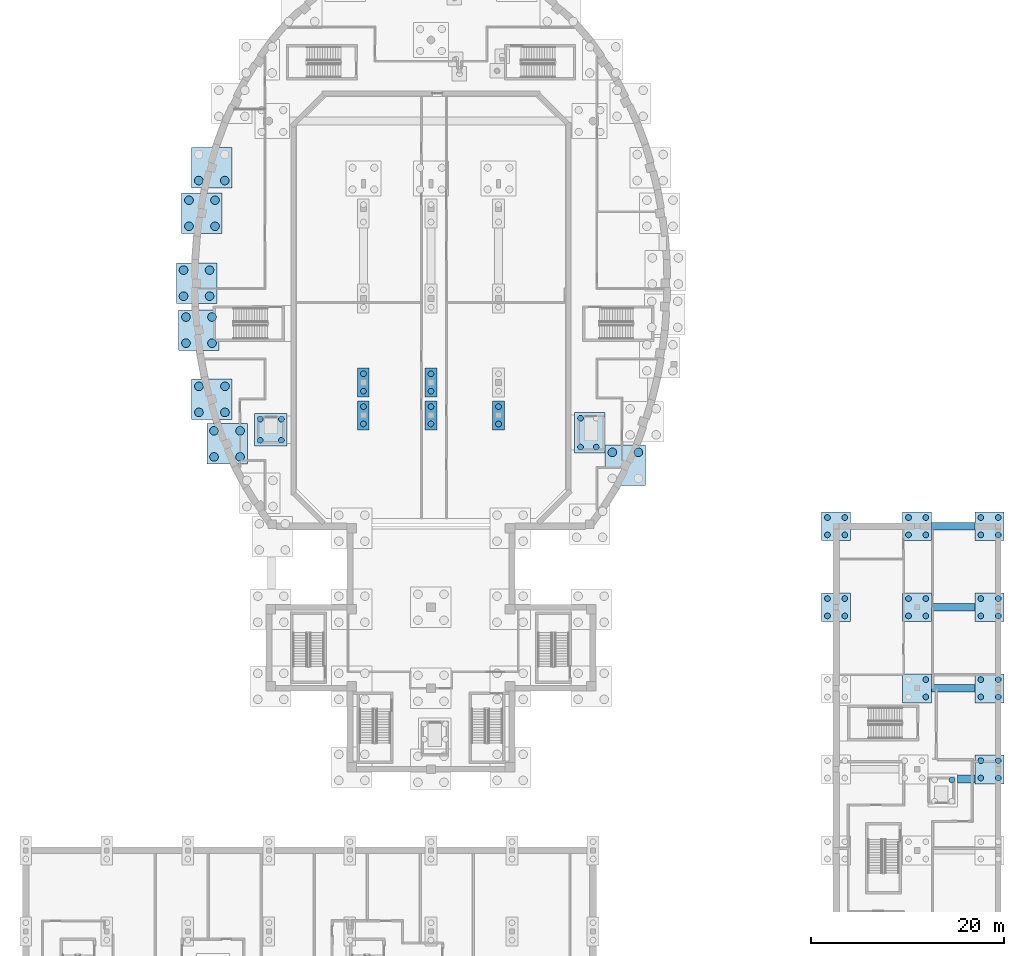
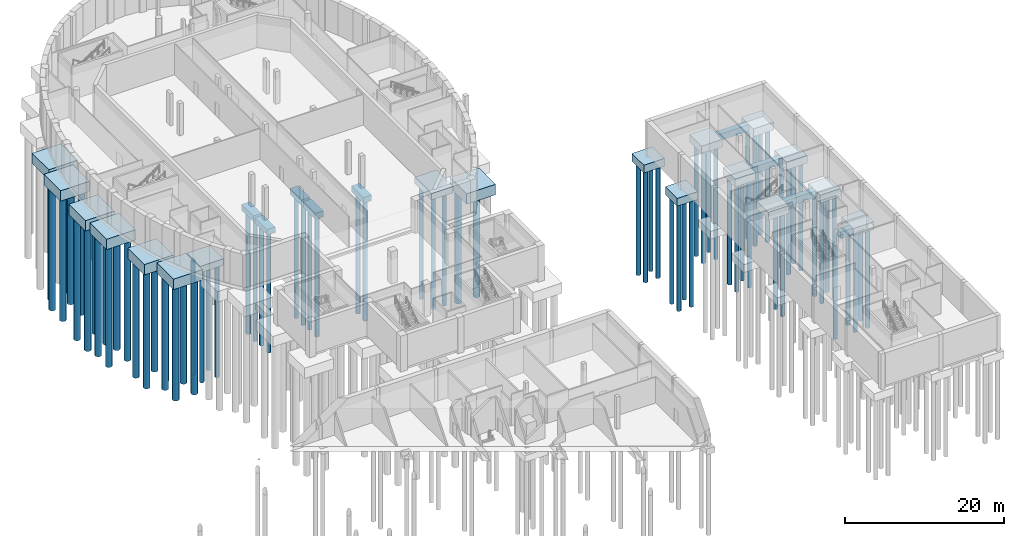
# One storey, part 4 of 33: 76 piles, 27 footings.
"""IFC4 building model written with IfcOpenShell, lengths in metres."""

import ifcopenshell
import ifcopenshell.guid

model = None  # the IFC model being written
_history = None  # IfcOwnerHistory: only IFC2X3 demands one
_inside = {}  # id of a spatial element -> (the spatial element, [elements in it])
_under = {}  # id of a project, library or spatial element -> (it, [spatial elements below it])
_declared = {}  # id of a project -> (the project, [libraries it declares])
_typed = {}  # id of a type object -> (the type object, [elements of that type])
_made_of = {}  # id of a material, layer set ... -> (it, [elements and type objects made of it])


def new_model(schema):
    """Start an empty IFC model of exactly this schema.

    Asked for "IFC4X3", IfcOpenShell would pick the latest addendum, in which some entities
    have other attributes; the version numbers below select the first issue.
    IFC2X3 requires an IfcOwnerHistory on every rooted entity: one is made here for all.
    """
    global model, _history
    if schema == "IFC4X3":
        model = ifcopenshell.file(schema_version=(4, 3, 0, 0))
    else:
        model = ifcopenshell.file(schema=schema)
    _inside.clear()
    _under.clear()
    _declared.clear()
    _typed.clear()
    _made_of.clear()
    _history = None
    if model.schema == "IFC2X3":
        org = make("IfcOrganization", Name="unknown")
        user = make(
            "IfcPersonAndOrganization",
            ThePerson=make("IfcPerson", FamilyName="unknown"),
            TheOrganization=org,
        )
        app = make(
            "IfcApplication",
            ApplicationDeveloper=org,
            Version="unknown",
            ApplicationFullName="unknown",
            ApplicationIdentifier="unknown",
        )
        _history = make(
            "IfcOwnerHistory",
            OwningUser=user,
            OwningApplication=app,
            ChangeAction="ADDED",
            CreationDate=0,
        )
    return model


def make(cls, **values):
    """One entity of the class cls with the attributes given. An attribute that is None is left unset."""
    return model.create_entity(
        cls, **{name: value for name, value in values.items() if value is not None}
    )


def rooted(cls, **values):
    """An entity with a GlobalId (a new one), such as an element, a storey or a relation."""
    return make(cls, GlobalId=ifcopenshell.guid.new(), OwnerHistory=_history, **values)


def si_unit(unit_type, name, prefix=None):
    """IfcSIUnit, for example si_unit("LENGTHUNIT", "METRE", prefix="MILLI")."""
    return make("IfcSIUnit", UnitType=unit_type, Prefix=prefix, Name=name)


def assignment(units):
    """IfcUnitAssignment: the units of a project."""
    return None if units is None else make("IfcUnitAssignment", Units=units)


def point(xyz):
    """IfcCartesianPoint."""
    return None if xyz is None else make("IfcCartesianPoint", Coordinates=xyz)


def direction(xyz):
    """IfcDirection."""
    return None if xyz is None else make("IfcDirection", DirectionRatios=xyz)


def frame(location, z_axis=None, x_axis=None):
    """IfcAxis2Placement3D, a coordinate frame: its origin and axes. An axis left out is left unset."""
    return make(
        "IfcAxis2Placement3D",
        Location=point(location),
        Axis=direction(z_axis),
        RefDirection=direction(x_axis),
    )


def frame_2d(location, x_axis=None):
    """IfcAxis2Placement2D, a coordinate frame in the plane: its origin and x axis."""
    return make(
        "IfcAxis2Placement2D", Location=point(location), RefDirection=direction(x_axis)
    )


def origin():
    """The frame at (0, 0, 0) with its axes left unset."""
    return frame((0.0, 0.0, 0.0))


def origin_2d():
    """The frame at (0, 0) in the plane with its x axis left unset."""
    return frame_2d((0.0, 0.0))


def place(relative_to, where):
    """IfcLocalPlacement: puts the frame where relative to a parent placement (None: the world)."""
    return make(
        "IfcLocalPlacement", PlacementRelTo=relative_to, RelativePlacement=where
    )


def context(
    kind, dimensions, precision=None, world=None, true_north=None, identifier=None
):
    """IfcGeometricRepresentationContext, for example the 3D "Model" context."""
    return make(
        "IfcGeometricRepresentationContext",
        ContextIdentifier=identifier,
        ContextType=kind,
        CoordinateSpaceDimension=dimensions,
        Precision=precision,
        WorldCoordinateSystem=world,
        TrueNorth=true_north,
    )


def subcontext(parent, identifier, kind, view, scale=None):
    """IfcGeometricRepresentationSubContext, for example "Body" below "Model"."""
    return make(
        "IfcGeometricRepresentationSubContext",
        ContextIdentifier=identifier,
        ContextType=kind,
        ParentContext=parent,
        TargetScale=scale,
        TargetView=view,
    )


def project(units=None, contexts=None):
    """IfcProject with its units and contexts."""
    return rooted(
        "IfcProject",
        Name="project",
        RepresentationContexts=contexts,
        UnitsInContext=assignment(units),
    )


def spatial(cls, under=None, at=None, **own):
    """A site, building, storey or space (cls), placed at a placement, below another one or the project."""
    s = rooted(cls, ObjectPlacement=at, **own)
    if under is not None:
        _under.setdefault(under.id(), (under, []))[1].append(s)
    return s


def polyline(points):
    """IfcPolyline through the points."""
    return make("IfcPolyline", Points=[point(p) for p in points])


def profile(cls, at=None, kind="AREA", **sizes):
    """A parametric profile (cls). Its sizes go by their IFC names, for example OverallWidth=200.0."""
    return make(cls, ProfileType=kind, Position=at, **sizes)


def circle(**sizes):
    """IfcCircleProfileDef."""
    return profile("IfcCircleProfileDef", **sizes)


def outline(outer, holes=None, kind="AREA"):
    """IfcArbitraryClosedProfileDef: a profile drawn as a closed curve; with holes, ...WithVoids."""
    if holes is None:
        return make("IfcArbitraryClosedProfileDef", ProfileType=kind, OuterCurve=outer)
    return make(
        "IfcArbitraryProfileDefWithVoids",
        ProfileType=kind,
        OuterCurve=outer,
        InnerCurves=holes,
    )


def extrude(swept, where, along, depth):
    """IfcExtrudedAreaSolid: the profile swept, set in the frame where, extruded along a direction by depth."""
    return make(
        "IfcExtrudedAreaSolid",
        SweptArea=swept,
        Position=where,
        ExtrudedDirection=direction(along),
        Depth=depth,
    )


def shape(context_of_items, identifier, shape_type, items):
    """IfcShapeRepresentation: the items that make up one representation, for example the "Body"."""
    return make(
        "IfcShapeRepresentation",
        ContextOfItems=context_of_items,
        RepresentationIdentifier=identifier,
        RepresentationType=shape_type,
        Items=items,
    )


def material(Name=None, Category=None):
    """IfcMaterial."""
    return make("IfcMaterial", Name=Name, Category=Category)


def material_profile(
    of_material, cross_section, Name=None, Category=None, Priority=None
):
    """IfcMaterialProfile: a cross section and its material."""
    return make(
        "IfcMaterialProfile",
        Name=Name,
        Material=of_material,
        Profile=cross_section,
        Priority=Priority,
        Category=Category,
    )


def profile_set(profiles, Name=None, composite=None):
    """IfcMaterialProfileSet."""
    return make(
        "IfcMaterialProfileSet",
        Name=Name,
        MaterialProfiles=profiles,
        CompositeProfile=composite,
    )


def made_of(thing, what):
    """Note that an element or type object is made of a material, layer set ...; save() writes the relation."""
    if what is not None:
        _made_of.setdefault(what.id(), (what, []))[1].append(thing)
    return thing


def type_object(cls, material=None, **own):
    """A type object (cls), such as IfcWallType, which elements share."""
    return made_of(rooted(cls, **own), material)


def element(
    cls,
    number,
    at=None,
    inside=None,
    cuts=None,
    type_object=None,
    material=None,
    context=None,
    identifier="Body",
    shape_type=None,
    held_by="IfcProductDefinitionShape",
    body=None,
    shapes=None,
    **own,
):
    """One element of the class cls, such as IfcWall. Its Tag is "e" and its number.

    at: its placement. inside: the storey or other place that contains it. cuts: it is an
    opening in that element (IfcRelVoidsElement). A single representation is given by context,
    identifier, shape_type and body (its items); several are given by shapes. held_by: the class
    of the entity that holds the representations. save() writes the other relations.
    """
    e = rooted(cls, Tag="e%d" % number, ObjectPlacement=at, **own)
    if body is not None:
        shapes = [shape(context, identifier, shape_type, body)]
    if shapes is not None:
        e.Representation = make(held_by, Representations=shapes)
    if inside is not None:
        _inside.setdefault(inside.id(), (inside, []))[1].append(e)
    if cuts is not None:
        rooted(
            "IfcRelVoidsElement", RelatingBuildingElement=cuts, RelatedOpeningElement=e
        )
    if type_object is not None:
        _typed.setdefault(type_object.id(), (type_object, []))[1].append(e)
    return made_of(e, material)


def aggregate(whole, parts):
    """IfcRelAggregates: a whole, such as a stair, and the parts it consists of."""
    return rooted("IfcRelAggregates", RelatingObject=whole, RelatedObjects=parts)


def save(model, path):
    """Write the relations noted so far, then the file.

    IfcRelAggregates (storeys below a building ...), IfcRelContainedInSpatialStructure (elements
    in a storey), IfcRelDefinesByType, IfcRelAssociatesMaterial and IfcRelDeclares: one each for
    every whole, place, type object, material and project.
    """
    for whole, parts in _under.values():
        aggregate(whole, parts)
    for where, things in _inside.values():
        rooted(
            "IfcRelContainedInSpatialStructure",
            RelatedElements=things,
            RelatingStructure=where,
        )
    for kind, things in _typed.values():
        rooted("IfcRelDefinesByType", RelatedObjects=things, RelatingType=kind)
    for what, things in _made_of.values():
        rooted("IfcRelAssociatesMaterial", RelatedObjects=things, RelatingMaterial=what)
    for by, libraries in _declared.values():
        rooted("IfcRelDeclares", RelatingContext=by, RelatedDefinitions=libraries)
    model.write(path)


model = new_model("IFC4")

# Units and contexts
model_context = context("Model", 3, precision=1e-05, world=origin(), true_north=direction((0.0, 1.0)))
body_context = subcontext(model_context, "Body", "Model", "MODEL_VIEW")
ifc_project = project(units=[si_unit("LENGTHUNIT", "METRE"), si_unit("AREAUNIT", "SQUARE_METRE"), si_unit("VOLUMEUNIT", "CUBIC_METRE"), si_unit("PLANEANGLEUNIT", "RADIAN"), si_unit("MASSUNIT", "GRAM", prefix="KILO")], contexts=[model_context])

# Site, building, storey
site_placement = place(None, origin())
site = spatial("IfcSite", under=ifc_project, at=site_placement, CompositionType="ELEMENT")
building_placement = place(site_placement, origin())
building = spatial("IfcBuilding", under=site, at=building_placement, Name="Larchfold Concert Hall", CompositionType="ELEMENT")
storey_placement = place(building_placement, frame((0.0, 0.0, -5.0)))
storey = spatial("IfcBuildingStorey", under=building, at=storey_placement, Name="B1", CompositionType="ELEMENT", Elevation=-5.0)

# Piles
ifc_material_1 = material(Name="Concrete C30/37", Category="concrete")
ifc_material_profile_1 = material_profile(ifc_material_1, circle(Radius=0.300048828125, at=origin_2d()))
ifc_profile_set_1 = profile_set([ifc_material_profile_1], Name="Concrete C30/37")
pile_type_1 = type_object("IfcPileType", Name="Bored pile D600", PredefinedType="BORED", material=ifc_profile_set_1)
for number, where, z_axis, x_axis, name in (
    (1, (35.60009765625, 70.0, -1.300048828125), (0.0, 0.0, -1.0), (1.0, 0.0, 0.0), "Pile P0115"),
    (2, (35.60009765625, 71.800048828125, -1.300048828125), (0.0, 0.0, -1.0), (1.0, 0.0, 0.0), "Pile P0116"),
):
    element("IfcPile", number, at=place(storey_placement, frame(where, z_axis=z_axis, x_axis=x_axis)), inside=storey, type_object=pile_type_1, Name=name, PredefinedType="BORED", context=body_context, shape_type="SweptSolid", body=[
        extrude(circle(Radius=0.300048828125, at=origin_2d()), origin(), (0.0, 0.0, 1.0), 18.56640625),
    ])
for number, where, z_axis, x_axis, name in (
    (3, (35.60009765625, 73.39990234375, -1.300048828125), (0.0, 0.0, -1.0), (1.0, 0.0, 0.0), "Pile P0117"),
    (4, (35.60009765625, 75.199951171875, -1.300048828125), (0.0, 0.0, -1.0), (1.0, 0.0, 0.0), "Pile P0118"),
):
    element("IfcPile", number, at=place(storey_placement, frame(where, z_axis=z_axis, x_axis=x_axis)), inside=storey, type_object=pile_type_1, Name=name, PredefinedType="BORED", context=body_context, shape_type="SweptSolid", body=[
        extrude(circle(Radius=0.300048828125, at=origin_2d()), origin(), (0.0, 0.0, 1.0), 18.84765625),
    ])
for number, where, z_axis, x_axis, name in (
    (5, (42.60009765625, 70.0, -1.300048828125), (0.0, 0.0, -1.0), (1.0, 0.0, 0.0), "Pile P0151"),
    (6, (42.60009765625, 71.800048828125, -1.300048828125), (0.0, 0.0, -1.0), (1.0, 0.0, 0.0), "Pile P0152"),
):
    element("IfcPile", number, at=place(storey_placement, frame(where, z_axis=z_axis, x_axis=x_axis)), inside=storey, type_object=pile_type_1, Name=name, PredefinedType="BORED", context=body_context, shape_type="SweptSolid", body=[
        extrude(circle(Radius=0.300048828125, at=origin_2d()), origin(), (0.0, 0.0, 1.0), 18.56640625),
    ])
for number, where, z_axis, x_axis, name in (
    (7, (42.60009765625, 73.39990234375, -1.300048828125), (0.0, 0.0, -1.0), (1.0, 0.0, 0.0), "Pile P0153"),
    (8, (42.60009765625, 75.199951171875, -1.300048828125), (0.0, 0.0, -1.0), (1.0, 0.0, 0.0), "Pile P0154"),
):
    element("IfcPile", number, at=place(storey_placement, frame(where, z_axis=z_axis, x_axis=x_axis)), inside=storey, type_object=pile_type_1, Name=name, PredefinedType="BORED", context=body_context, shape_type="SweptSolid", body=[
        extrude(circle(Radius=0.300048828125, at=origin_2d()), origin(), (0.0, 0.0, 1.0), 18.84765625),
    ])
for number, where, z_axis, x_axis, name in (
    (9, (49.60009765625, 70.0, -1.300048828125), (0.0, 0.0, -1.0), (1.0, 0.0, 0.0), "Pile P0171"),
    (10, (49.60009765625, 71.800048828125, -1.300048828125), (0.0, 0.0, -1.0), (1.0, 0.0, 0.0), "Pile P0172"),
):
    element("IfcPile", number, at=place(storey_placement, frame(where, z_axis=z_axis, x_axis=x_axis)), inside=storey, type_object=pile_type_1, Name=name, PredefinedType="BORED", context=body_context, shape_type="SweptSolid", body=[
        extrude(circle(Radius=0.300048828125, at=origin_2d()), origin(), (0.0, 0.0, 1.0), 18.56640625),
    ])
for number, where, z_axis, x_axis, name in (
    (11, (83.699951171875, 50.10009765625, -1.60009765625), (0.0, 0.0, -1.0), (1.0, 0.0, 0.0), "Pile P0299"),
    (12, (83.699951171875, 51.89990234375, -1.60009765625), (0.0, 0.0, -1.0), (1.0, 0.0, 0.0), "Pile P0300"),
    (13, (85.5, 50.10009765625, -1.60009765625), (0.0, 0.0, -1.0), (1.0, 0.0, 0.0), "Pile P0301"),
    (14, (85.5, 51.89990234375, -1.60009765625), (0.0, 0.0, -1.0), (1.0, 0.0, 0.0), "Pile P0302"),
):
    element("IfcPile", number, at=place(storey_placement, frame(where, z_axis=z_axis, x_axis=x_axis)), inside=storey, type_object=pile_type_1, Name=name, PredefinedType="BORED", context=body_context, shape_type="SweptSolid", body=[
        extrude(circle(Radius=0.300048828125, at=origin_2d()), origin(), (0.0, 0.0, 1.0), 16.619873046875),
    ])
for number, where, z_axis, x_axis, name in (
    (15, (83.699951171875, 58.5, -1.60009765625), (0.0, 0.0, -1.0), (1.0, 0.0, 0.0), "Pile P0303"),
    (16, (83.699951171875, 60.300048828125, -1.60009765625), (0.0, 0.0, -1.0), (1.0, 0.0, 0.0), "Pile P0304"),
    (17, (85.5, 58.5, -1.60009765625), (0.0, 0.0, -1.0), (1.0, 0.0, 0.0), "Pile P0305"),
    (18, (85.5, 60.300048828125, -1.60009765625), (0.0, 0.0, -1.0), (1.0, 0.0, 0.0), "Pile P0306"),
):
    element("IfcPile", number, at=place(storey_placement, frame(where, z_axis=z_axis, x_axis=x_axis)), inside=storey, type_object=pile_type_1, Name=name, PredefinedType="BORED", context=body_context, shape_type="SweptSolid", body=[
        extrude(circle(Radius=0.300048828125, at=origin_2d()), origin(), (0.0, 0.0, 1.0), 17.31494140625),
    ])
for number, where, z_axis, x_axis, name in (
    (19, (93.89990234375, 41.699951171875, -1.60009765625), (0.0, 0.0, -1.0), (1.0, 0.0, 0.0), "Pile P0329"),
    (20, (93.89990234375, 43.5, -1.60009765625), (0.0, 0.0, -1.0), (1.0, 0.0, 0.0), "Pile P0330"),
):
    element("IfcPile", number, at=place(storey_placement, frame(where, z_axis=z_axis, x_axis=x_axis)), inside=storey, type_object=pile_type_1, Name=name, PredefinedType="BORED", context=body_context, shape_type="SweptSolid", body=[
        extrude(circle(Radius=0.300048828125, at=origin_2d()), origin(), (0.0, 0.0, 1.0), 15.9248046875),
    ])
for number, where, z_axis, x_axis, name in (
    (21, (92.10009765625, 50.10009765625, -1.60009765625), (0.0, 0.0, -1.0), (1.0, 0.0, 0.0), "Pile P0331"),
    (22, (92.10009765625, 51.89990234375, -1.60009765625), (0.0, 0.0, -1.0), (1.0, 0.0, 0.0), "Pile P0332"),
    (23, (93.89990234375, 50.10009765625, -1.60009765625), (0.0, 0.0, -1.0), (1.0, 0.0, 0.0), "Pile P0333"),
    (24, (93.89990234375, 51.89990234375, -1.60009765625), (0.0, 0.0, -1.0), (1.0, 0.0, 0.0), "Pile P0334"),
):
    element("IfcPile", number, at=place(storey_placement, frame(where, z_axis=z_axis, x_axis=x_axis)), inside=storey, type_object=pile_type_1, Name=name, PredefinedType="BORED", context=body_context, shape_type="SweptSolid", body=[
        extrude(circle(Radius=0.300048828125, at=origin_2d()), origin(), (0.0, 0.0, 1.0), 16.619873046875),
    ])
for number, where, z_axis, x_axis, name in (
    (25, (92.10009765625, 58.5, -1.60009765625), (0.0, 0.0, -1.0), (1.0, 0.0, 0.0), "Pile P0335"),
    (26, (92.10009765625, 60.300048828125, -1.60009765625), (0.0, 0.0, -1.0), (1.0, 0.0, 0.0), "Pile P0336"),
    (27, (93.89990234375, 58.5, -1.60009765625), (0.0, 0.0, -1.0), (1.0, 0.0, 0.0), "Pile P0337"),
    (28, (93.89990234375, 60.300048828125, -1.60009765625), (0.0, 0.0, -1.0), (1.0, 0.0, 0.0), "Pile P0338"),
):
    element("IfcPile", number, at=place(storey_placement, frame(where, z_axis=z_axis, x_axis=x_axis)), inside=storey, type_object=pile_type_1, Name=name, PredefinedType="BORED", context=body_context, shape_type="SweptSolid", body=[
        extrude(circle(Radius=0.300048828125, at=origin_2d()), origin(), (0.0, 0.0, 1.0), 17.31494140625),
    ])
for number, where, z_axis, x_axis, name in (
    (29, (99.60009765625, 33.300048828125, -1.60009765625), (0.0, 0.0, -1.0), (1.0, 0.0, 0.0), "Pile P0355"),
    (30, (99.60009765625, 35.10009765625, -1.60009765625), (0.0, 0.0, -1.0), (1.0, 0.0, 0.0), "Pile P0356"),
    (31, (101.39990234375, 33.300048828125, -1.60009765625), (0.0, 0.0, -1.0), (1.0, 0.0, 0.0), "Pile P0357"),
    (32, (101.39990234375, 35.10009765625, -1.60009765625), (0.0, 0.0, -1.0), (1.0, 0.0, 0.0), "Pile P0358"),
):
    element("IfcPile", number, at=place(storey_placement, frame(where, z_axis=z_axis, x_axis=x_axis)), inside=storey, type_object=pile_type_1, Name=name, PredefinedType="BORED", context=body_context, shape_type="SweptSolid", body=[
        extrude(circle(Radius=0.300048828125, at=origin_2d()), origin(), (0.0, 0.0, 1.0), 15.229736328125),
    ])
for number, where, z_axis, x_axis, name in (
    (33, (99.60009765625, 41.699951171875, -1.60009765625), (0.0, 0.0, -1.0), (1.0, 0.0, 0.0), "Pile P0359"),
    (34, (99.60009765625, 43.5, -1.60009765625), (0.0, 0.0, -1.0), (1.0, 0.0, 0.0), "Pile P0360"),
    (35, (101.39990234375, 41.699951171875, -1.60009765625), (0.0, 0.0, -1.0), (1.0, 0.0, 0.0), "Pile P0361"),
    (36, (101.39990234375, 43.5, -1.60009765625), (0.0, 0.0, -1.0), (1.0, 0.0, 0.0), "Pile P0362"),
):
    element("IfcPile", number, at=place(storey_placement, frame(where, z_axis=z_axis, x_axis=x_axis)), inside=storey, type_object=pile_type_1, Name=name, PredefinedType="BORED", context=body_context, shape_type="SweptSolid", body=[
        extrude(circle(Radius=0.300048828125, at=origin_2d()), origin(), (0.0, 0.0, 1.0), 15.9248046875),
    ])
for number, where, z_axis, x_axis, name in (
    (37, (99.60009765625, 50.10009765625, -1.60009765625), (0.0, 0.0, -1.0), (1.0, 0.0, 0.0), "Pile P0363"),
    (38, (99.60009765625, 51.89990234375, -1.60009765625), (0.0, 0.0, -1.0), (1.0, 0.0, 0.0), "Pile P0364"),
    (39, (101.39990234375, 50.10009765625, -1.60009765625), (0.0, 0.0, -1.0), (1.0, 0.0, 0.0), "Pile P0365"),
    (40, (101.39990234375, 51.89990234375, -1.60009765625), (0.0, 0.0, -1.0), (1.0, 0.0, 0.0), "Pile P0366"),
):
    element("IfcPile", number, at=place(storey_placement, frame(where, z_axis=z_axis, x_axis=x_axis)), inside=storey, type_object=pile_type_1, Name=name, PredefinedType="BORED", context=body_context, shape_type="SweptSolid", body=[
        extrude(circle(Radius=0.300048828125, at=origin_2d()), origin(), (0.0, 0.0, 1.0), 16.619873046875),
    ])
for number, where, z_axis, x_axis, name in (
    (41, (99.60009765625, 58.5, -1.60009765625), (0.0, 0.0, -1.0), (1.0, 0.0, 0.0), "Pile P0367"),
    (42, (99.60009765625, 60.300048828125, -1.60009765625), (0.0, 0.0, -1.0), (1.0, 0.0, 0.0), "Pile P0368"),
    (43, (101.39990234375, 58.5, -1.60009765625), (0.0, 0.0, -1.0), (1.0, 0.0, 0.0), "Pile P0369"),
    (44, (101.39990234375, 60.300048828125, -1.60009765625), (0.0, 0.0, -1.0), (1.0, 0.0, 0.0), "Pile P0370"),
):
    element("IfcPile", number, at=place(storey_placement, frame(where, z_axis=z_axis, x_axis=x_axis)), inside=storey, type_object=pile_type_1, Name=name, PredefinedType="BORED", context=body_context, shape_type="SweptSolid", body=[
        extrude(circle(Radius=0.300048828125, at=origin_2d()), origin(), (0.0, 0.0, 1.0), 17.31494140625),
    ])
pile_1_placement = place(storey_placement, frame((58.10009765625, 67.60009765625, -2.300048828125), z_axis=(0.0, 0.0, -1.0), x_axis=(1.0, 0.0, 0.0)))
element("IfcPile", 45, at=pile_1_placement, inside=storey, type_object=pile_type_1, Name="Pile P0371", PredefinedType="BORED", context=body_context, shape_type="SweptSolid", body=[
    extrude(circle(Radius=0.300048828125, at=origin_2d()), origin(), (0.0, 0.0, 1.0), 17.29345703125),
])
pile_2_placement = place(storey_placement, frame((58.10009765625, 70.60009765625, -2.300048828125), z_axis=(0.0, 0.0, -1.0), x_axis=(1.0, 0.0, 0.0)))
element("IfcPile", 46, at=pile_2_placement, inside=storey, type_object=pile_type_1, Name="Pile P0372", PredefinedType="BORED", context=body_context, shape_type="SweptSolid", body=[
    extrude(circle(Radius=0.300048828125, at=origin_2d()), origin(), (0.0, 0.0, 1.0), 17.54150390625),
])
pile_3_placement = place(storey_placement, frame((59.72216796875, 67.60009765625, -2.300048828125), z_axis=(0.0, 0.0, -1.0), x_axis=(1.0, 0.0, 0.0)))
element("IfcPile", 47, at=pile_3_placement, inside=storey, type_object=pile_type_1, Name="Pile P0373", PredefinedType="BORED", context=body_context, shape_type="SweptSolid", body=[
    extrude(circle(Radius=0.300048828125, at=origin_2d()), origin(), (0.0, 0.0, 1.0), 17.29345703125),
])
pile_4_placement = place(storey_placement, frame((24.900146484375, 68.300048828125, -2.300048828125), z_axis=(0.0, 0.0, -1.0), x_axis=(1.0, 0.0, 0.0)))
element("IfcPile", 48, at=pile_4_placement, inside=storey, type_object=pile_type_1, Name="Pile P0375", PredefinedType="BORED", context=body_context, shape_type="SweptSolid", body=[
    extrude(circle(Radius=0.300048828125, at=origin_2d()), origin(), (0.0, 0.0, 1.0), 17.351318359375),
])
pile_5_placement = place(storey_placement, frame((24.900146484375, 70.5, -2.300048828125), z_axis=(0.0, 0.0, -1.0), x_axis=(1.0, 0.0, 0.0)))
element("IfcPile", 49, at=pile_5_placement, inside=storey, type_object=pile_type_1, Name="Pile P0376", PredefinedType="BORED", context=body_context, shape_type="SweptSolid", body=[
    extrude(circle(Radius=0.300048828125, at=origin_2d()), origin(), (0.0, 0.0, 1.0), 17.533447265625),
])
pile_6_placement = place(storey_placement, frame((27.10009765625, 68.300048828125, -2.300048828125), z_axis=(0.0, 0.0, -1.0), x_axis=(1.0, 0.0, 0.0)))
element("IfcPile", 50, at=pile_6_placement, inside=storey, type_object=pile_type_1, Name="Pile P0377", PredefinedType="BORED", context=body_context, shape_type="SweptSolid", body=[
    extrude(circle(Radius=0.300048828125, at=origin_2d()), origin(), (0.0, 0.0, 1.0), 17.351318359375),
])
pile_7_placement = place(storey_placement, frame((27.10009765625, 70.5, -2.300048828125), z_axis=(0.0, 0.0, -1.0), x_axis=(1.0, 0.0, 0.0)))
element("IfcPile", 51, at=pile_7_placement, inside=storey, type_object=pile_type_1, Name="Pile P0378", PredefinedType="BORED", context=body_context, shape_type="SweptSolid", body=[
    extrude(circle(Radius=0.300048828125, at=origin_2d()), origin(), (0.0, 0.0, 1.0), 17.533447265625),
])
pile_8_placement = place(storey_placement, frame((96.60009765625, 33.10009765625, -2.300048828125), z_axis=(0.0, 0.0, -1.0), x_axis=(1.0, 0.0, 0.0)))
element("IfcPile", 52, at=pile_8_placement, inside=storey, type_object=pile_type_1, Name="Pile P0390", PredefinedType="BORED", context=body_context, shape_type="SweptSolid", body=[
    extrude(circle(Radius=0.300048828125, at=origin_2d()), origin(), (0.0, 0.0, 1.0), 14.438720703125),
])
ifc_material_2 = material(Name="Concrete C30/37", Category="concrete")
ifc_material_profile_2 = material_profile(ifc_material_2, circle(Radius=0.449951171875, at=origin_2d()))
ifc_profile_set_2 = profile_set([ifc_material_profile_2], Name="Concrete C30/37")
pile_type_2 = type_object("IfcPileType", Name="Bored pile D900", PredefinedType="BORED", material=ifc_profile_set_2)
for number, where, z_axis, x_axis, name in (
    (53, (16.9501953125, 83.25, -2.0), (0.0, 0.0, -1.0), (1.0, 0.0, 0.0), "Pile P0025"),
    (54, (16.9501953125, 85.9501953125, -2.0), (0.0, 0.0, -1.0), (1.0, 0.0, 0.0), "Pile P0026"),
    (55, (19.650146484375, 83.25, -2.0), (0.0, 0.0, -1.0), (1.0, 0.0, 0.0), "Pile P0027"),
    (56, (19.650146484375, 85.9501953125, -2.0), (0.0, 0.0, -1.0), (1.0, 0.0, 0.0), "Pile P0028"),
):
    element("IfcPile", number, at=place(storey_placement, frame(where, z_axis=z_axis, x_axis=x_axis)), inside=storey, type_object=pile_type_2, Name=name, PredefinedType="BORED", context=body_context, shape_type="SweptSolid", body=[
        extrude(circle(Radius=0.449951171875, at=origin_2d()), origin(), (0.0, 0.0, 1.0), 19.0),
    ])
for number, where, z_axis, x_axis, name in (
    (57, (17.20361328125, 78.381103515625, -2.0), (0.0, 0.0, -1.0), (1.0, 0.0, 0.0), "Pile P0029"),
    (58, (17.20361328125, 81.0810546875, -2.0), (0.0, 0.0, -1.0), (1.0, 0.0, 0.0), "Pile P0030"),
    (59, (19.903564453125, 78.381103515625, -2.0), (0.0, 0.0, -1.0), (1.0, 0.0, 0.0), "Pile P0031"),
    (60, (19.903564453125, 81.0810546875, -2.0), (0.0, 0.0, -1.0), (1.0, 0.0, 0.0), "Pile P0032"),
):
    element("IfcPile", number, at=place(storey_placement, frame(where, z_axis=z_axis, x_axis=x_axis)), inside=storey, type_object=pile_type_2, Name=name, PredefinedType="BORED", context=body_context, shape_type="SweptSolid", body=[
        extrude(circle(Radius=0.449951171875, at=origin_2d()), origin(), (0.0, 0.0, 1.0), 18.59716796875),
    ])
for number, where, z_axis, x_axis, name in (
    (61, (17.514892578125, 90.491943359375, -2.0), (0.0, 0.0, -1.0), (1.0, 0.0, 0.0), "Pile P0033"),
    (62, (17.514892578125, 93.19189453125, -2.0), (0.0, 0.0, -1.0), (1.0, 0.0, 0.0), "Pile P0034"),
    (63, (20.21484375, 90.491943359375, -2.0), (0.0, 0.0, -1.0), (1.0, 0.0, 0.0), "Pile P0035"),
    (64, (20.21484375, 93.19189453125, -2.0), (0.0, 0.0, -1.0), (1.0, 0.0, 0.0), "Pile P0036"),
    (65, (18.5283203125, 95.228759765625, -2.0), (0.0, 0.0, -1.0), (1.0, 0.0, 0.0), "Pile P0037"),
    (66, (21.228271484375, 95.228759765625, -2.0), (0.0, 0.0, -1.0), (1.0, 0.0, 0.0), "Pile P0039"),
):
    element("IfcPile", number, at=place(storey_placement, frame(where, z_axis=z_axis, x_axis=x_axis)), inside=storey, type_object=pile_type_2, Name=name, PredefinedType="BORED", context=body_context, shape_type="SweptSolid", body=[
        extrude(circle(Radius=0.449951171875, at=origin_2d()), origin(), (0.0, 0.0, 1.0), 19.0),
    ])
for number, where, z_axis, x_axis, name in (
    (67, (18.548095703125, 71.19873046875, -2.0), (0.0, 0.0, -1.0), (1.0, 0.0, 0.0), "Pile P0041"),
    (68, (18.548095703125, 73.898681640625, -2.0), (0.0, 0.0, -1.0), (1.0, 0.0, 0.0), "Pile P0042"),
    (69, (21.248291015625, 71.19873046875, -2.0), (0.0, 0.0, -1.0), (1.0, 0.0, 0.0), "Pile P0043"),
    (70, (21.248291015625, 73.898681640625, -2.0), (0.0, 0.0, -1.0), (1.0, 0.0, 0.0), "Pile P0044"),
):
    element("IfcPile", number, at=place(storey_placement, frame(where, z_axis=z_axis, x_axis=x_axis)), inside=storey, type_object=pile_type_2, Name=name, PredefinedType="BORED", context=body_context, shape_type="SweptSolid", body=[
        extrude(circle(Radius=0.449951171875, at=origin_2d()), origin(), (0.0, 0.0, 1.0), 18.0029296875),
    ])
for number, where, z_axis, x_axis, name in (
    (71, (20.111083984375, 66.58447265625, -2.0), (0.0, 0.0, -1.0), (1.0, 0.0, 0.0), "Pile P0045"),
    (72, (20.111083984375, 69.284423828125, -2.0), (0.0, 0.0, -1.0), (1.0, 0.0, 0.0), "Pile P0046"),
    (73, (22.81103515625, 66.58447265625, -2.0), (0.0, 0.0, -1.0), (1.0, 0.0, 0.0), "Pile P0047"),
    (74, (22.81103515625, 69.284423828125, -2.0), (0.0, 0.0, -1.0), (1.0, 0.0, 0.0), "Pile P0048"),
):
    element("IfcPile", number, at=place(storey_placement, frame(where, z_axis=z_axis, x_axis=x_axis)), inside=storey, type_object=pile_type_2, Name=name, PredefinedType="BORED", context=body_context, shape_type="SweptSolid", body=[
        extrude(circle(Radius=0.449951171875, at=origin_2d()), origin(), (0.0, 0.0, 1.0), 17.62109375),
    ])
for number, where, z_axis, x_axis, name in (
    (75, (61.398193359375, 67.05908203125, -2.0), (0.0, 0.0, -1.0), (1.0, 0.0, 0.0), "Pile P0244"),
    (76, (64.09814453125, 67.05908203125, -2.0), (0.0, 0.0, -1.0), (1.0, 0.0, 0.0), "Pile P0246"),
):
    element("IfcPile", number, at=place(storey_placement, frame(where, z_axis=z_axis, x_axis=x_axis)), inside=storey, type_object=pile_type_2, Name=name, PredefinedType="BORED", context=body_context, shape_type="SweptSolid", body=[
        extrude(circle(Radius=0.449951171875, at=origin_2d()), origin(), (0.0, 0.0, 1.0), 17.43701171875),
    ])

# Footings
ifc_material_3 = material(Name="Concrete C30/37", Category="concrete")
footing_type_1 = type_object("IfcFootingType", Name="Pad footing 3150x4200x1000", PredefinedType="PAD_FOOTING", material=ifc_material_3)
footing_1_placement = place(storey_placement, frame((0.0, 0.0, -2.39990234375)))
element("IfcFooting", 77, at=footing_1_placement, inside=storey, type_object=footing_type_1, Name="Pit footing PC0115", PredefinedType="PAD_FOOTING", context=body_context, shape_type="SweptSolid", body=[
    extrude(outline(polyline([(60.650146484375, 67.0), (60.650146484375, 71.199951171875), (57.5, 71.199951171875), (57.5, 67.0), (60.650146484375, 67.0)])), origin(), (0.0, 0.0, 1.0), 1.0),
])
ifc_material_4 = material(Name="Concrete C30/37", Category="concrete")
footing_type_2 = type_object("IfcFootingType", Name="Pad footing 3400x3400x1000", PredefinedType="PAD_FOOTING", material=ifc_material_4)
footing_2_placement = place(storey_placement, frame((0.0, 0.0, -2.39990234375)))
element("IfcFooting", 78, at=footing_2_placement, inside=storey, type_object=footing_type_2, Name="Pit footing PC0116", PredefinedType="PAD_FOOTING", context=body_context, shape_type="SweptSolid", body=[
    extrude(outline(polyline([(27.7001953125, 67.699951171875), (27.7001953125, 71.10009765625), (24.300048828125, 71.10009765625), (24.300048828125, 67.699951171875), (27.7001953125, 67.699951171875)])), origin(), (0.0, 0.0, 1.0), 1.0),
])
ifc_material_5 = material(Name="Concrete C30/37", Category="concrete")
footing_type_3 = type_object("IfcFootingType", Name="Pile cap 1200x3000x900", PredefinedType="PILE_CAP", material=ifc_material_5)
footing_3_placement = place(storey_placement, frame((0.0, 0.0, -1.39990234375)))
element("IfcFooting", 79, at=footing_3_placement, inside=storey, type_object=footing_type_3, Name="Pile cap PC0039", PredefinedType="PILE_CAP", context=body_context, shape_type="SweptSolid", body=[
    extrude(outline(polyline([(36.199951171875, 69.39990234375), (36.199951171875, 72.39990234375), (35.0, 72.39990234375), (35.0, 69.39990234375), (36.199951171875, 69.39990234375)])), origin(), (0.0, 0.0, 1.0), 0.89990234375),
])
footing_4_placement = place(storey_placement, frame((0.0, 0.0, -1.39990234375)))
element("IfcFooting", 80, at=footing_4_placement, inside=storey, type_object=footing_type_3, Name="Pile cap PC0040", PredefinedType="PILE_CAP", context=body_context, shape_type="SweptSolid", body=[
    extrude(outline(polyline([(36.199951171875, 72.800048828125), (36.199951171875, 75.800048828125), (35.0, 75.800048828125), (35.0, 72.800048828125), (36.199951171875, 72.800048828125)])), origin(), (0.0, 0.0, 1.0), 0.89990234375),
])
footing_5_placement = place(storey_placement, frame((0.0, 0.0, -1.39990234375)))
element("IfcFooting", 81, at=footing_5_placement, inside=storey, type_object=footing_type_3, Name="Pile cap PC0052", PredefinedType="PILE_CAP", context=body_context, shape_type="SweptSolid", body=[
    extrude(outline(polyline([(43.199951171875, 69.39990234375), (43.199951171875, 72.39990234375), (42.0, 72.39990234375), (42.0, 69.39990234375), (43.199951171875, 69.39990234375)])), origin(), (0.0, 0.0, 1.0), 0.89990234375),
])
footing_6_placement = place(storey_placement, frame((0.0, 0.0, -1.39990234375)))
element("IfcFooting", 82, at=footing_6_placement, inside=storey, type_object=footing_type_3, Name="Pile cap PC0053", PredefinedType="PILE_CAP", context=body_context, shape_type="SweptSolid", body=[
    extrude(outline(polyline([(43.199951171875, 72.800048828125), (43.199951171875, 75.800048828125), (42.0, 75.800048828125), (42.0, 72.800048828125), (43.199951171875, 72.800048828125)])), origin(), (0.0, 0.0, 1.0), 0.89990234375),
])
footing_7_placement = place(storey_placement, frame((0.0, 0.0, -1.39990234375)))
element("IfcFooting", 83, at=footing_7_placement, inside=storey, type_object=footing_type_3, Name="Pile cap PC0059", PredefinedType="PILE_CAP", context=body_context, shape_type="SweptSolid", body=[
    extrude(outline(polyline([(50.199951171875, 69.39990234375), (50.199951171875, 72.39990234375), (49.0, 72.39990234375), (49.0, 69.39990234375), (50.199951171875, 69.39990234375)])), origin(), (0.0, 0.0, 1.0), 0.89990234375),
])
ifc_material_6 = material(Name="Concrete C30/37", Category="concrete")
footing_type_4 = type_object("IfcFootingType", Name="Pile cap 3000x3000x1200", PredefinedType="PILE_CAP", material=ifc_material_6)
footing_8_placement = place(storey_placement, frame((0.0, 0.0, -1.699951171875)))
element("IfcFooting", 84, at=footing_8_placement, inside=storey, type_object=footing_type_4, Name="Pile cap PC0097", PredefinedType="PILE_CAP", context=body_context, shape_type="SweptSolid", body=[
    extrude(outline(polyline([(86.10009765625, 49.5), (86.10009765625, 52.5), (83.10009765625, 52.5), (83.10009765625, 49.5), (86.10009765625, 49.5)])), origin(), (0.0, 0.0, 1.0), 1.199951171875),
])
footing_9_placement = place(storey_placement, frame((0.0, 0.0, -1.699951171875)))
element("IfcFooting", 85, at=footing_9_placement, inside=storey, type_object=footing_type_4, Name="Pile cap PC0098", PredefinedType="PILE_CAP", context=body_context, shape_type="SweptSolid", body=[
    extrude(outline(polyline([(86.10009765625, 57.89990234375), (86.10009765625, 60.89990234375), (83.10009765625, 60.89990234375), (83.10009765625, 57.89990234375), (86.10009765625, 57.89990234375)])), origin(), (0.0, 0.0, 1.0), 1.199951171875),
])
footing_10_placement = place(storey_placement, frame((0.0, 0.0, -1.699951171875)))
element("IfcFooting", 86, at=footing_10_placement, inside=storey, type_object=footing_type_4, Name="Pile cap PC0104", PredefinedType="PILE_CAP", context=body_context, shape_type="SweptSolid", body=[
    extrude(outline(polyline([(94.5, 41.10009765625), (94.5, 44.10009765625), (91.5, 44.10009765625), (91.5, 41.10009765625), (94.5, 41.10009765625)])), origin(), (0.0, 0.0, 1.0), 1.199951171875),
])
footing_11_placement = place(storey_placement, frame((0.0, 0.0, -1.699951171875)))
element("IfcFooting", 87, at=footing_11_placement, inside=storey, type_object=footing_type_4, Name="Pile cap PC0105", PredefinedType="PILE_CAP", context=body_context, shape_type="SweptSolid", body=[
    extrude(outline(polyline([(94.5, 49.5), (94.5, 52.5), (91.5, 52.5), (91.5, 49.5), (94.5, 49.5)])), origin(), (0.0, 0.0, 1.0), 1.199951171875),
])
footing_12_placement = place(storey_placement, frame((0.0, 0.0, -1.699951171875)))
element("IfcFooting", 88, at=footing_12_placement, inside=storey, type_object=footing_type_4, Name="Pile cap PC0106", PredefinedType="PILE_CAP", context=body_context, shape_type="SweptSolid", body=[
    extrude(outline(polyline([(94.5, 57.89990234375), (94.5, 60.89990234375), (91.5, 60.89990234375), (91.5, 57.89990234375), (94.5, 57.89990234375)])), origin(), (0.0, 0.0, 1.0), 1.199951171875),
])
footing_13_placement = place(storey_placement, frame((0.0, 0.0, -1.699951171875)))
element("IfcFooting", 89, at=footing_13_placement, inside=storey, type_object=footing_type_4, Name="Pile cap PC0111", PredefinedType="PILE_CAP", context=body_context, shape_type="SweptSolid", body=[
    extrude(outline(polyline([(102.0, 32.699951171875), (102.0, 35.699951171875), (99.0, 35.699951171875), (99.0, 32.699951171875), (102.0, 32.699951171875)])), origin(), (0.0, 0.0, 1.0), 1.199951171875),
])
footing_14_placement = place(storey_placement, frame((0.0, 0.0, -1.699951171875)))
element("IfcFooting", 90, at=footing_14_placement, inside=storey, type_object=footing_type_4, Name="Pile cap PC0112", PredefinedType="PILE_CAP", context=body_context, shape_type="SweptSolid", body=[
    extrude(outline(polyline([(102.0, 41.10009765625), (102.0, 44.10009765625), (99.0, 44.10009765625), (99.0, 41.10009765625), (102.0, 41.10009765625)])), origin(), (0.0, 0.0, 1.0), 1.199951171875),
])
footing_15_placement = place(storey_placement, frame((0.0, 0.0, -1.699951171875)))
element("IfcFooting", 91, at=footing_15_placement, inside=storey, type_object=footing_type_4, Name="Pile cap PC0113", PredefinedType="PILE_CAP", context=body_context, shape_type="SweptSolid", body=[
    extrude(outline(polyline([(102.0, 49.5), (102.0, 52.5), (99.0, 52.5), (99.0, 49.5), (102.0, 49.5)])), origin(), (0.0, 0.0, 1.0), 1.199951171875),
])
footing_16_placement = place(storey_placement, frame((0.0, 0.0, -1.699951171875)))
element("IfcFooting", 92, at=footing_16_placement, inside=storey, type_object=footing_type_4, Name="Pile cap PC0114", PredefinedType="PILE_CAP", context=body_context, shape_type="SweptSolid", body=[
    extrude(outline(polyline([(102.0, 57.89990234375), (102.0, 60.89990234375), (99.0, 60.89990234375), (99.0, 57.89990234375), (102.0, 57.89990234375)])), origin(), (0.0, 0.0, 1.0), 1.199951171875),
])
ifc_material_7 = material(Name="Concrete C30/37", Category="concrete")
footing_type_5 = type_object("IfcFootingType", Name="Pile cap 4200x4200x1600", PredefinedType="PILE_CAP", material=ifc_material_7)
footing_17_placement = place(storey_placement, frame((0.0, 0.0, -2.10009765625)))
element("IfcFooting", 93, at=footing_17_placement, inside=storey, type_object=footing_type_5, Name="Pile cap PC0013", PredefinedType="PILE_CAP", context=body_context, shape_type="SweptSolid", body=[
    extrude(outline(polyline([(20.400146484375, 82.5), (20.400146484375, 86.7001953125), (16.2001953125, 86.7001953125), (16.2001953125, 82.5), (20.400146484375, 82.5)])), origin(), (0.0, 0.0, 1.0), 1.60009765625),
])
footing_18_placement = place(storey_placement, frame((0.0, 0.0, -2.10009765625)))
element("IfcFooting", 94, at=footing_18_placement, inside=storey, type_object=footing_type_5, Name="Pile cap PC0014", PredefinedType="PILE_CAP", context=body_context, shape_type="SweptSolid", body=[
    extrude(outline(polyline([(20.653564453125, 77.631103515625), (20.653564453125, 81.8310546875), (16.45361328125, 81.8310546875), (16.45361328125, 77.631103515625), (20.653564453125, 77.631103515625)])), origin(), (0.0, 0.0, 1.0), 1.60009765625),
])
footing_19_placement = place(storey_placement, frame((0.0, 0.0, -2.10009765625)))
element("IfcFooting", 95, at=footing_19_placement, inside=storey, type_object=footing_type_5, Name="Pile cap PC0015", PredefinedType="PILE_CAP", context=body_context, shape_type="SweptSolid", body=[
    extrude(outline(polyline([(20.96484375, 89.741943359375), (20.96484375, 93.94189453125), (16.764892578125, 93.94189453125), (16.764892578125, 89.741943359375), (20.96484375, 89.741943359375)])), origin(), (0.0, 0.0, 1.0), 1.60009765625),
])
footing_20_placement = place(storey_placement, frame((0.0, 0.0, -2.10009765625)))
element("IfcFooting", 96, at=footing_20_placement, inside=storey, type_object=footing_type_5, Name="Pile cap PC0016", PredefinedType="PILE_CAP", context=body_context, shape_type="SweptSolid", body=[
    extrude(outline(polyline([(21.978271484375, 94.478759765625), (21.978271484375, 98.6787109375), (17.7783203125, 98.6787109375), (17.7783203125, 94.478759765625), (21.978271484375, 94.478759765625)])), origin(), (0.0, 0.0, 1.0), 1.60009765625),
])
footing_21_placement = place(storey_placement, frame((0.0, 0.0, -2.10009765625)))
element("IfcFooting", 97, at=footing_21_placement, inside=storey, type_object=footing_type_5, Name="Pile cap PC0017", PredefinedType="PILE_CAP", context=body_context, shape_type="SweptSolid", body=[
    extrude(outline(polyline([(21.998291015625, 70.44873046875), (21.998291015625, 74.648681640625), (17.798095703125, 74.648681640625), (17.798095703125, 70.44873046875), (21.998291015625, 70.44873046875)])), origin(), (0.0, 0.0, 1.0), 1.60009765625),
])
footing_22_placement = place(storey_placement, frame((0.0, 0.0, -2.10009765625)))
element("IfcFooting", 98, at=footing_22_placement, inside=storey, type_object=footing_type_5, Name="Pile cap PC0018", PredefinedType="PILE_CAP", context=body_context, shape_type="SweptSolid", body=[
    extrude(outline(polyline([(23.56103515625, 65.83447265625), (23.56103515625, 70.034423828125), (19.361083984375, 70.034423828125), (19.361083984375, 65.83447265625), (23.56103515625, 65.83447265625)])), origin(), (0.0, 0.0, 1.0), 1.60009765625),
])
footing_23_placement = place(storey_placement, frame((0.0, 0.0, -2.10009765625)))
element("IfcFooting", 99, at=footing_23_placement, inside=storey, type_object=footing_type_5, Name="Pile cap PC0083", PredefinedType="PILE_CAP", context=body_context, shape_type="SweptSolid", body=[
    extrude(outline(polyline([(64.84814453125, 63.609130859375), (64.84814453125, 67.80908203125), (60.648193359375, 67.80908203125), (60.648193359375, 63.609130859375), (64.84814453125, 63.609130859375)])), origin(), (0.0, 0.0, 1.0), 1.60009765625),
])
ifc_material_8 = material(Name="Concrete C30/37", Category="concrete")
footing_type_6 = type_object("IfcFootingType", Name="Strip footing 800x1000", PredefinedType="STRIP_FOOTING", material=ifc_material_8)
footing_24_placement = place(storey_placement, frame((0.0, 0.0, -1.5)))
element("IfcFooting", 100, at=footing_24_placement, inside=storey, type_object=footing_type_6, Name="Ground beam GB0025", PredefinedType="STRIP_FOOTING", context=body_context, shape_type="SweptSolid", body=[
    extrude(outline(polyline([(97.199951171875, 33.60009765625), (97.199951171875, 32.800048828125), (99.0, 32.800048828125), (99.0, 33.60009765625), (97.199951171875, 33.60009765625)])), origin(), (0.0, 0.0, 1.0), 1.0),
])
footing_25_placement = place(storey_placement, frame((0.0, 0.0, -1.5)))
element("IfcFooting", 101, at=footing_25_placement, inside=storey, type_object=footing_type_6, Name="Ground beam GB0026", PredefinedType="STRIP_FOOTING", context=body_context, shape_type="SweptSolid", body=[
    extrude(outline(polyline([(94.5, 43.0), (94.5, 42.199951171875), (99.0, 42.199951171875), (99.0, 43.0), (94.5, 43.0)])), origin(), (0.0, 0.0, 1.0), 1.0),
])
footing_26_placement = place(storey_placement, frame((0.0, 0.0, -1.5)))
element("IfcFooting", 102, at=footing_26_placement, inside=storey, type_object=footing_type_6, Name="Ground beam GB0027", PredefinedType="STRIP_FOOTING", context=body_context, shape_type="SweptSolid", body=[
    extrude(outline(polyline([(94.5, 51.39990234375), (94.5, 50.60009765625), (99.0, 50.60009765625), (99.0, 51.39990234375), (94.5, 51.39990234375)])), origin(), (0.0, 0.0, 1.0), 1.0),
])
footing_27_placement = place(storey_placement, frame((0.0, 0.0, -1.5)))
element("IfcFooting", 103, at=footing_27_placement, inside=storey, type_object=footing_type_6, Name="Ground beam GB0028", PredefinedType="STRIP_FOOTING", context=body_context, shape_type="SweptSolid", body=[
    extrude(outline(polyline([(94.5, 59.800048828125), (94.5, 59.0), (99.0, 59.0), (99.0, 59.800048828125), (94.5, 59.800048828125)])), origin(), (0.0, 0.0, 1.0), 1.0),
])

save(model, "model.ifc")
